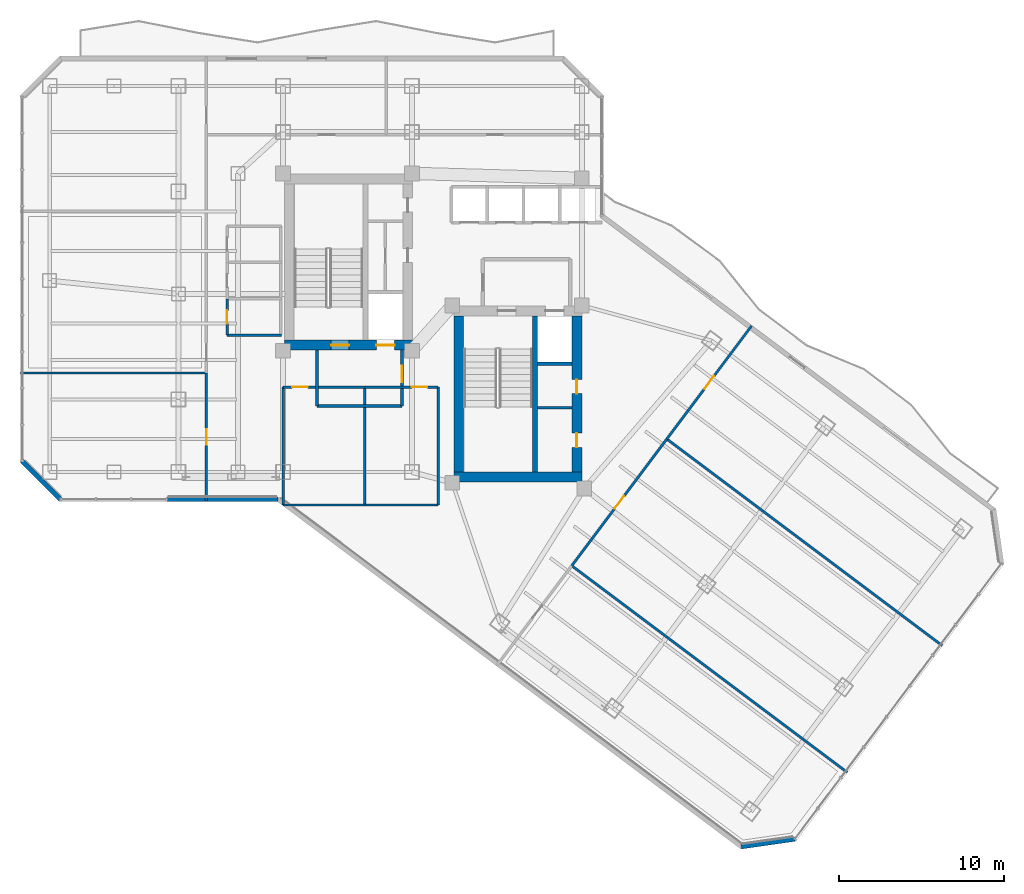
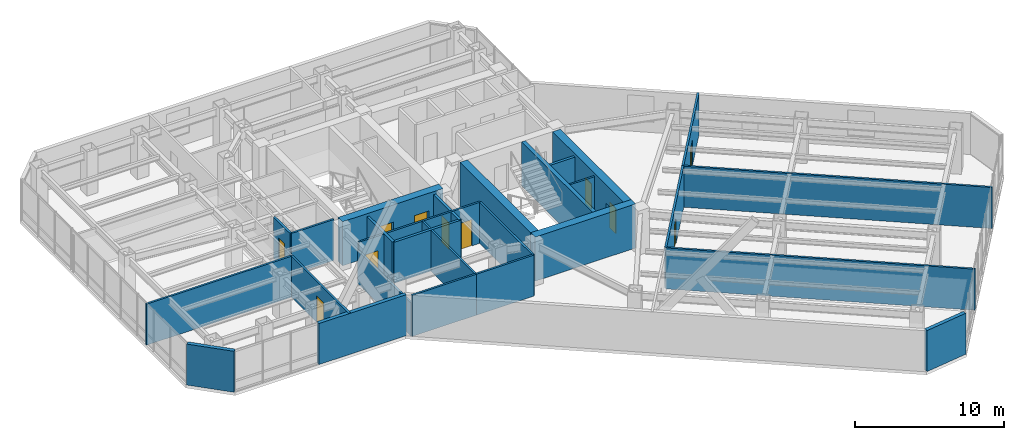
# One storey, part 22 of 29: 28 walls, 11 doors, 11 openings.
"""IFC4 building model written with IfcOpenShell, lengths in metres."""

from ifc_helpers import new_model, si_unit, direction, frame, frame_2d, origin, place, context, subcontext, project, spatial, rectangle, extrude, material, layer, layer_set, type_object, element, fill, save


model = new_model("IFC4")

# Units and contexts
model_context = context("Model", 3, precision=1e-05, world=origin(), true_north=direction((0.0, 1.0)))
body_context = subcontext(model_context, "Body", "Model", "MODEL_VIEW")
ifc_project = project(units=[si_unit("LENGTHUNIT", "METRE"), si_unit("AREAUNIT", "SQUARE_METRE"), si_unit("VOLUMEUNIT", "CUBIC_METRE"), si_unit("PLANEANGLEUNIT", "RADIAN"), si_unit("MASSUNIT", "GRAM", prefix="KILO")], contexts=[model_context])

# Site, building, storey
site_placement = place(None, origin())
site = spatial("IfcSite", under=ifc_project, at=site_placement, CompositionType="ELEMENT")
building_placement = place(site_placement, origin())
building = spatial("IfcBuilding", under=site, at=building_placement, Name="Hatsunagi Terrace Concourse", CompositionType="ELEMENT")
storey_placement = place(building_placement, frame((0.0, 0.0, 119.25)))
storey = spatial("IfcBuildingStorey", under=building, at=storey_placement, Name="L31", CompositionType="ELEMENT", Elevation=119.25)

# Wall, openings, doors
ifc_material_1 = material(Name="Concrete Fc48", Category="concrete")
ifc_layer_1 = layer(ifc_material_1, 0.60009765625)
ifc_layer_set_1 = layer_set([ifc_layer_1], Name="CoreShearWall_Fc48_600")
wall_type_1 = type_object("IfcWallType", Name="CoreShearWall_Fc48_600", PredefinedType="SHEAR", material=ifc_layer_set_1)
wall_1_placement = place(storey_placement, frame((25.6201171875, 32.889892578125, 0.0), z_axis=(0.0, 0.0, 1.0), x_axis=(1.0, 0.0, 0.0)))
wall_1 = element("IfcWall", 1, at=wall_1_placement, inside=storey, type_object=wall_type_1, Name="Core A Shear Wall S L31", PredefinedType="SHEAR", context=body_context, shape_type="SweptSolid", body=[
    extrude(rectangle(XDim=7.77978515625, YDim=0.60009765625, at=frame_2d((3.889892578125, 0.0))), origin(), (0.0, 0.0, 1.0), 3.60009765625),
])
opening_1_placement = place(wall_1_placement, frame((2.830078125, 0.0, 0.0)))
opening_1 = element("IfcOpeningElement", 2, at=opening_1_placement, cuts=wall_1, Name="Opening DR-110S", PredefinedType="OPENING", context=body_context, shape_type="SweptSolid", body=[
    extrude(rectangle(XDim=1.10009765625, YDim=2.199951171875, at=frame_2d((0.550048828125, 1.10009765625))), frame((0.0, 0.31005859375, 0.0), z_axis=(0.0, -1.0, 0.0), x_axis=(1.0, 0.0, 0.0)), (0.0, 0.0, 1.0), 0.6201171875),
])
opening_2_placement = place(wall_1_placement, frame((5.580078125, 0.0, 0.0)))
opening_2 = element("IfcOpeningElement", 3, at=opening_2_placement, cuts=wall_1, Name="Opening LD-01", PredefinedType="OPENING", context=body_context, shape_type="SweptSolid", body=[
    extrude(rectangle(XDim=1.10009765625, YDim=2.14990234375, at=frame_2d((0.550048828125, 1.074951171875))), frame((0.0, 0.31005859375, 0.0), z_axis=(0.0, -1.0, 0.0), x_axis=(1.0, 0.0, 0.0)), (0.0, 0.0, 1.0), 0.6201171875),
])
ifc_material_2 = material(Name="Stainless steel", Category="steel")
door_type_1 = type_object("IfcDoorType", Name="LiftLandingDoor_LD01", OperationType="SLIDING_TO_LEFT", PredefinedType="USERDEFINED", material=ifc_material_2)
door_1_placement = place(opening_2_placement, origin())
door_1 = element("IfcDoor", 4, at=door_1_placement, inside=storey, type_object=door_type_1, Name="Lift landing door FF-01 L31", ObjectType="SLIDING_LANDING_DOOR", OperationType="SLIDING_TO_LEFT", OverallHeight=2.14990234375, OverallWidth=1.10009765625, PredefinedType="USERDEFINED", context=body_context, shape_type="SweptSolid", body=[
    extrude(rectangle(XDim=1.10009765625, YDim=2.14990234375, at=frame_2d((0.550048828125, 1.074951171875))), frame((0.0, 0.02490234375, 0.0), z_axis=(0.0, -1.0, 0.0), x_axis=(1.0, 0.0, 0.0)), (0.0, 0.0, 1.0), 0.050048828125),
])
fill(opening_2, door_1)
ifc_material_3 = material(Name="Painted steel", Category="steel")
door_type_2 = type_object("IfcDoorType", Name="StairFireDoor_EI60_1100", OperationType="NOTDEFINED", PredefinedType="DOOR", material=ifc_material_3)
door_2_placement = place(opening_1_placement, origin())
door_2 = element("IfcDoor", 5, at=door_2_placement, inside=storey, type_object=door_type_2, Name="Stair ST-A Exit Door L31", OperationType="SINGLE_SWING_LEFT", OverallHeight=2.199951171875, OverallWidth=1.10009765625, PredefinedType="DOOR", context=body_context, shape_type="SweptSolid", body=[
    extrude(rectangle(XDim=1.10009765625, YDim=2.199951171875, at=frame_2d((0.550048828125, 1.10009765625))), frame((0.0, 0.02490234375, 0.0), z_axis=(0.0, -1.0, 0.0), x_axis=(1.0, 0.0, 0.0)), (0.0, 0.0, 1.0), 0.050048828125),
])
fill(opening_1, door_2)

# Walls
wall_2_placement = place(storey_placement, frame((35.889892578125, 24.889892578125, 0.0), z_axis=(0.0, 0.0, 1.0), x_axis=(1.0, 0.0, 0.0)))
element("IfcWall", 6, at=wall_2_placement, inside=storey, type_object=wall_type_1, Name="Core B Shear Wall S L31", PredefinedType="SHEAR", context=body_context, shape_type="SweptSolid", body=[
    extrude(rectangle(XDim=7.760009765625, YDim=0.60009765625, at=frame_2d((3.8798828125, 0.0))), origin(), (0.0, 0.0, 1.0), 3.60009765625),
])
wall_3_placement = place(storey_placement, frame((36.18994140625, 25.18994140625, 0.0), z_axis=(0.0, 0.0, 1.0), x_axis=(0.0, 1.0, 0.0)))
element("IfcWall", 7, at=wall_3_placement, inside=storey, type_object=wall_type_1, Name="Core B Shear Wall W L31", PredefinedType="SHEAR", context=body_context, shape_type="SweptSolid", body=[
    extrude(rectangle(XDim=9.47998046875, YDim=0.60009765625, at=frame_2d((4.739990234375, 0.0))), origin(), (0.0, 0.0, 1.0), 3.60009765625),
])

# Wall, openings, doors
wall_4_placement = place(storey_placement, frame((43.35009765625, 25.18994140625, 0.0), z_axis=(0.0, 0.0, 1.0), x_axis=(0.0, 1.0, 0.0)))
wall_4 = element("IfcWall", 8, at=wall_4_placement, inside=storey, type_object=wall_type_1, Name="Core B Shear Wall E L31", PredefinedType="SHEAR", context=body_context, shape_type="SweptSolid", body=[
    extrude(rectangle(XDim=9.47998046875, YDim=0.60009765625, at=frame_2d((4.739990234375, 0.0))), origin(), (0.0, 0.0, 1.0), 3.60009765625),
])
opening_3_placement = place(wall_4_placement, frame((1.510009765625, 0.0, 0.0)))
opening_3 = element("IfcOpeningElement", 9, at=opening_3_placement, cuts=wall_4, Name="Opening DR-085", PredefinedType="OPENING", context=body_context, shape_type="SweptSolid", body=[
    extrude(rectangle(XDim=0.85009765625, YDim=2.080078125, at=frame_2d((0.425048828125, 1.0400390625))), frame((0.0, 0.31005859375, 0.0), z_axis=(0.0, -1.0, 0.0), x_axis=(1.0, 0.0, 0.0)), (0.0, 0.0, 1.0), 0.6201171875),
])
opening_4_placement = place(wall_4_placement, frame((4.760009765625, 0.0, 0.0)))
opening_4 = element("IfcOpeningElement", 10, at=opening_4_placement, cuts=wall_4, Name="Opening DR-085", PredefinedType="OPENING", context=body_context, shape_type="SweptSolid", body=[
    extrude(rectangle(XDim=0.85009765625, YDim=2.080078125, at=frame_2d((0.425048828125, 1.0400390625))), frame((0.0, 0.31005859375, 0.0), z_axis=(0.0, -1.0, 0.0), x_axis=(1.0, 0.0, 0.0)), (0.0, 0.0, 1.0), 0.6201171875),
])
ifc_material_4 = material(Name="Painted steel", Category="steel")
door_type_3 = type_object("IfcDoorType", Name="RiserAccessDoor_EI60_850", OperationType="NOTDEFINED", PredefinedType="DOOR", material=ifc_material_4)
door_3_placement = place(opening_3_placement, origin())
door_3 = element("IfcDoor", 11, at=door_3_placement, inside=storey, type_object=door_type_3, Name="Core B Riser Door L31-1", OperationType="SINGLE_SWING_RIGHT", OverallHeight=2.080078125, OverallWidth=0.85009765625, PredefinedType="DOOR", context=body_context, shape_type="SweptSolid", body=[
    extrude(rectangle(XDim=0.85009765625, YDim=2.080078125, at=frame_2d((0.425048828125, 1.0400390625))), frame((0.0, 0.02490234375, 0.0), z_axis=(0.0, -1.0, 0.0), x_axis=(1.0, 0.0, 0.0)), (0.0, 0.0, 1.0), 0.050048828125),
])
fill(opening_3, door_3)
door_4_placement = place(opening_4_placement, origin())
door_4 = element("IfcDoor", 12, at=door_4_placement, inside=storey, type_object=door_type_3, Name="Core B Riser Door L31-2", OperationType="SINGLE_SWING_RIGHT", OverallHeight=2.080078125, OverallWidth=0.85009765625, PredefinedType="DOOR", context=body_context, shape_type="SweptSolid", body=[
    extrude(rectangle(XDim=0.85009765625, YDim=2.080078125, at=frame_2d((0.425048828125, 1.0400390625))), frame((0.0, 0.02490234375, 0.0), z_axis=(0.0, -1.0, 0.0), x_axis=(1.0, 0.0, 0.0)), (0.0, 0.0, 1.0), 0.050048828125),
])
fill(opening_4, door_4)

# Walls
ifc_material_5 = material(Name="Concrete Fc48", Category="concrete")
ifc_layer_2 = layer(ifc_material_5, 0.300048828125)
ifc_layer_set_2 = layer_set([ifc_layer_2], Name="CoreStairDivider_Fc48_300")
wall_type_2 = type_object("IfcWallType", Name="CoreStairDivider_Fc48_300", PredefinedType="SHEAR", material=ifc_layer_set_2)
wall_5_placement = place(storey_placement, frame((40.81005859375, 25.18994140625, 0.0), z_axis=(0.0, 0.0, 1.0), x_axis=(0.0, 1.0, 0.0)))
element("IfcWall", 13, at=wall_5_placement, inside=storey, type_object=wall_type_2, Name="Core B Shear Wall D L31", PredefinedType="SHEAR", context=body_context, shape_type="SweptSolid", body=[
    extrude(rectangle(XDim=9.47998046875, YDim=0.300048828125, at=frame_2d((4.739990234375, 0.0))), origin(), (0.0, 0.0, 1.0), 3.60009765625),
])
ifc_material_6 = material(Name="Acoustic mineral board", Category="gypsum")
ifc_layer_3 = layer(ifc_material_6, 0.14990234375)
ifc_layer_set_3 = layer_set([ifc_layer_3], Name="PartitionWall_EI60_150")
wall_type_3 = type_object("IfcWallType", Name="PartitionWall_EI60_150", PredefinedType="PARTITIONING", material=ifc_layer_set_3)
wall_6_placement = place(storey_placement, frame((40.969970703125, 29.10009765625, 0.0), z_axis=(0.0, 0.0, 1.0), x_axis=(1.0, 0.0, 0.0)))
element("IfcWall", 14, at=wall_6_placement, inside=storey, type_object=wall_type_3, Name="Interior Partition IW-L31-005", PredefinedType="PARTITIONING", context=body_context, shape_type="SweptSolid", body=[
    extrude(rectangle(XDim=2.080078125, YDim=0.14990234375, at=frame_2d((1.0400390625, 0.0))), origin(), (0.0, 0.0, 1.0), 3.35009765625),
])
wall_7_placement = place(storey_placement, frame((22.14990234375, 33.5, 0.0), z_axis=(0.0, 0.0, 1.0), x_axis=(1.0, 0.0, 0.0)))
element("IfcWall", 15, at=wall_7_placement, inside=storey, type_object=wall_type_3, Name="Interior Partition IW-L31-018", PredefinedType="PARTITIONING", context=body_context, shape_type="SweptSolid", body=[
    extrude(rectangle(XDim=3.300048828125, YDim=0.14990234375, at=frame_2d((1.64990234375, 0.0))), origin(), (0.0, 0.0, 1.0), 3.35009765625),
])

# Wall, opening, door
wall_8_placement = place(storey_placement, frame((22.14990234375, 33.5, 0.0), z_axis=(0.0, 0.0, 1.0), x_axis=(0.0, 1.0, 0.0)))
wall_8 = element("IfcWall", 16, at=wall_8_placement, inside=storey, type_object=wall_type_3, Name="Interior Partition IW-L31-023", PredefinedType="PARTITIONING", context=body_context, shape_type="SweptSolid", body=[
    extrude(rectangle(XDim=2.199951171875, YDim=0.14990234375, at=frame_2d((1.10009765625, 0.0))), origin(), (0.0, 0.0, 1.0), 3.35009765625),
])
opening_5_placement = place(wall_8_placement, frame((0.699951171875, 0.0, 0.0)))
opening_5 = element("IfcOpeningElement", 17, at=opening_5_placement, cuts=wall_8, Name="Opening DR-080", PredefinedType="OPENING", context=body_context, shape_type="SweptSolid", body=[
    extrude(rectangle(XDim=0.800048828125, YDim=2.06005859375, at=frame_2d((0.39990234375, 1.030029296875))), frame((0.0, 0.0849609375, 0.0), z_axis=(0.0, -1.0, 0.0), x_axis=(1.0, 0.0, 0.0)), (0.0, 0.0, 1.0), 0.169921875),
])
ifc_material_7 = material(Name="Hardwood timber", Category="wood")
door_type_4 = type_object("IfcDoorType", Name="BathroomDoor_800", OperationType="NOTDEFINED", PredefinedType="DOOR", material=ifc_material_7)
door_5_placement = place(opening_5_placement, origin())
door_5 = element("IfcDoor", 18, at=door_5_placement, inside=storey, type_object=door_type_4, Name="Accessible WC Door L31", OperationType="SINGLE_SWING_RIGHT", OverallHeight=2.06005859375, OverallWidth=0.800048828125, PredefinedType="DOOR", context=body_context, shape_type="SweptSolid", body=[
    extrude(rectangle(XDim=0.800048828125, YDim=2.06005859375, at=frame_2d((0.39990234375, 1.030029296875))), frame((0.0, 0.02490234375, 0.0), z_axis=(0.0, -1.0, 0.0), x_axis=(1.0, 0.0, 0.0)), (0.0, 0.0, 1.0), 0.050048828125),
])
fill(opening_5, door_5)

# Wall
wall_9_placement = place(storey_placement, frame((25.550048828125, 23.199951171875, 0.0), z_axis=(0.0, 0.0, 1.0), x_axis=(1.0, 0.0, 0.0)))
element("IfcWall", 19, at=wall_9_placement, inside=storey, type_object=wall_type_3, Name="Interior Partition IW-L31-026", PredefinedType="PARTITIONING", context=body_context, shape_type="SweptSolid", body=[
    extrude(rectangle(XDim=4.949951171875, YDim=0.14990234375, at=frame_2d((2.47509765625, 0.0))), origin(), (0.0, 0.0, 1.0), 3.35009765625),
])

# Wall, opening, door
wall_10_placement = place(storey_placement, frame((25.550048828125, 30.35009765625, 0.0), z_axis=(0.0, 0.0, 1.0), x_axis=(1.0, 0.0, 0.0)))
wall_10 = element("IfcWall", 20, at=wall_10_placement, inside=storey, type_object=wall_type_3, Name="Interior Partition IW-L31-027", PredefinedType="PARTITIONING", context=body_context, shape_type="SweptSolid", body=[
    extrude(rectangle(XDim=4.949951171875, YDim=0.14990234375, at=frame_2d((2.47509765625, 0.0))), origin(), (0.0, 0.0, 1.0), 3.35009765625),
])
opening_6_placement = place(wall_10_placement, frame((0.5419921875, 0.0, 0.0)))
opening_6 = element("IfcOpeningElement", 21, at=opening_6_placement, cuts=wall_10, Name="Opening DR-095", PredefinedType="OPENING", context=body_context, shape_type="SweptSolid", body=[
    extrude(rectangle(XDim=0.949951171875, YDim=2.14990234375, at=frame_2d((0.47509765625, 1.074951171875))), frame((0.0, 0.0849609375, 0.0), z_axis=(0.0, -1.0, 0.0), x_axis=(1.0, 0.0, 0.0)), (0.0, 0.0, 1.0), 0.169921875),
])
ifc_material_8 = material(Name="Hardwood timber", Category="wood")
door_type_5 = type_object("IfcDoorType", Name="InteriorSuiteDoor_EI30_950", OperationType="NOTDEFINED", PredefinedType="DOOR", material=ifc_material_8)
door_6_placement = place(opening_6_placement, origin())
door_6 = element("IfcDoor", 22, at=door_6_placement, inside=storey, type_object=door_type_5, Name="Executive Office L31-RECL1 Door", OperationType="SINGLE_SWING_RIGHT", OverallHeight=2.14990234375, OverallWidth=0.949951171875, PredefinedType="DOOR", context=body_context, shape_type="SweptSolid", body=[
    extrude(rectangle(XDim=0.949951171875, YDim=2.14990234375, at=frame_2d((0.47509765625, 1.074951171875))), frame((0.0, 0.02490234375, 0.0), z_axis=(0.0, -1.0, 0.0), x_axis=(1.0, 0.0, 0.0)), (0.0, 0.0, 1.0), 0.050048828125),
])
fill(opening_6, door_6)

# Walls
wall_11_placement = place(storey_placement, frame((25.550048828125, 23.199951171875, 0.0), z_axis=(0.0, 0.0, 1.0), x_axis=(0.0, 1.0, 0.0)))
element("IfcWall", 23, at=wall_11_placement, inside=storey, type_object=wall_type_3, Name="Interior Partition IW-L31-028", PredefinedType="PARTITIONING", context=body_context, shape_type="SweptSolid", body=[
    extrude(rectangle(XDim=7.150146484375, YDim=0.14990234375, at=frame_2d((3.5751953125, 0.0))), origin(), (0.0, 0.0, 1.0), 2.695068359375),
])
wall_12_placement = place(storey_placement, frame((30.5, 23.199951171875, 0.0), z_axis=(0.0, 0.0, 1.0), x_axis=(0.0, 1.0, 0.0)))
element("IfcWall", 24, at=wall_12_placement, inside=storey, type_object=wall_type_3, Name="Interior Partition IW-L31-029", PredefinedType="PARTITIONING", context=body_context, shape_type="SweptSolid", body=[
    extrude(rectangle(XDim=7.150146484375, YDim=0.14990234375, at=frame_2d((3.5751953125, 0.0))), origin(), (0.0, 0.0, 1.0), 3.35009765625),
])
wall_13_placement = place(storey_placement, frame((30.5, 23.199951171875, 0.0), z_axis=(0.0, 0.0, 1.0), x_axis=(1.0, 0.0, 0.0)))
element("IfcWall", 25, at=wall_13_placement, inside=storey, type_object=wall_type_3, Name="Interior Partition IW-L31-030", PredefinedType="PARTITIONING", context=body_context, shape_type="SweptSolid", body=[
    extrude(rectangle(XDim=4.449951171875, YDim=0.14990234375, at=frame_2d((2.22509765625, 0.0))), origin(), (0.0, 0.0, 1.0), 3.35009765625),
])

# Wall, opening, door
wall_14_placement = place(storey_placement, frame((30.5, 30.35009765625, 0.0), z_axis=(0.0, 0.0, 1.0), x_axis=(1.0, 0.0, 0.0)))
wall_14 = element("IfcWall", 26, at=wall_14_placement, inside=storey, type_object=wall_type_3, Name="Interior Partition IW-L31-031", PredefinedType="PARTITIONING", context=body_context, shape_type="SweptSolid", body=[
    extrude(rectangle(XDim=4.449951171875, YDim=0.14990234375, at=frame_2d((2.22509765625, 0.0))), origin(), (0.0, 0.0, 1.0), 3.35009765625),
])
opening_7_placement = place(wall_14_placement, frame((2.845947265625, 0.0, 0.0)))
opening_7 = element("IfcOpeningElement", 27, at=opening_7_placement, cuts=wall_14, Name="Opening DR-095", PredefinedType="OPENING", context=body_context, shape_type="SweptSolid", body=[
    extrude(rectangle(XDim=0.949951171875, YDim=2.14990234375, at=frame_2d((0.47509765625, 1.074951171875))), frame((0.0, 0.0849609375, 0.0), z_axis=(0.0, -1.0, 0.0), x_axis=(1.0, 0.0, 0.0)), (0.0, 0.0, 1.0), 0.169921875),
])
door_7_placement = place(opening_7_placement, origin())
door_7 = element("IfcDoor", 28, at=door_7_placement, inside=storey, type_object=door_type_5, Name="Client Consultation Room L31-RECL2 Door", OperationType="SINGLE_SWING_RIGHT", OverallHeight=2.14990234375, OverallWidth=0.949951171875, PredefinedType="DOOR", context=body_context, shape_type="SweptSolid", body=[
    extrude(rectangle(XDim=0.949951171875, YDim=2.14990234375, at=frame_2d((0.47509765625, 1.074951171875))), frame((0.0, 0.02490234375, 0.0), z_axis=(0.0, -1.0, 0.0), x_axis=(1.0, 0.0, 0.0)), (0.0, 0.0, 1.0), 0.050048828125),
])
fill(opening_7, door_7)

# Walls
wall_15_placement = place(storey_placement, frame((34.949951171875, 23.199951171875, 0.0), z_axis=(0.0, 0.0, 1.0), x_axis=(0.0, 1.0, 0.0)))
element("IfcWall", 29, at=wall_15_placement, inside=storey, type_object=wall_type_3, Name="Interior Partition IW-L31-032", PredefinedType="PARTITIONING", context=body_context, shape_type="SweptSolid", body=[
    extrude(rectangle(XDim=7.150146484375, YDim=0.14990234375, at=frame_2d((3.5751953125, 0.0))), origin(), (0.0, 0.0, 1.0), 3.35009765625),
])
wall_16_placement = place(storey_placement, frame((9.639892578125, 31.199951171875, 0.0), z_axis=(0.0, 0.0, 1.0), x_axis=(1.0, 0.0, 0.0)))
element("IfcWall", 30, at=wall_16_placement, inside=storey, type_object=wall_type_3, Name="Interior Partition IW-L31-033", PredefinedType="PARTITIONING", context=body_context, shape_type="SweptSolid", body=[
    extrude(rectangle(XDim=11.260009765625, YDim=0.14990234375, at=frame_2d((5.6298828125, 0.0))), origin(), (0.0, 0.0, 1.0), 3.35009765625),
])

# Wall, opening, door
wall_17_placement = place(storey_placement, frame((20.89990234375, 23.43994140625, 0.0), z_axis=(0.0, 0.0, 1.0), x_axis=(0.0, 1.0, 0.0)))
wall_17 = element("IfcWall", 31, at=wall_17_placement, inside=storey, type_object=wall_type_3, Name="Interior Partition IW-L31-034", PredefinedType="PARTITIONING", context=body_context, shape_type="SweptSolid", body=[
    extrude(rectangle(XDim=7.760009765625, YDim=0.14990234375, at=frame_2d((3.8798828125, 0.0))), origin(), (0.0, 0.0, 1.0), 3.35009765625),
])
opening_8_placement = place(wall_17_placement, frame((3.405029296875, 0.0, 0.0)))
opening_8 = element("IfcOpeningElement", 32, at=opening_8_placement, cuts=wall_17, Name="Opening DR-095", PredefinedType="OPENING", context=body_context, shape_type="SweptSolid", body=[
    extrude(rectangle(XDim=0.949951171875, YDim=2.14990234375, at=frame_2d((0.47509765625, 1.074951171875))), frame((0.0, 0.0849609375, 0.0), z_axis=(0.0, -1.0, 0.0), x_axis=(1.0, 0.0, 0.0)), (0.0, 0.0, 1.0), 0.169921875),
])
door_8_placement = place(opening_8_placement, origin())
door_8 = element("IfcDoor", 33, at=door_8_placement, inside=storey, type_object=door_type_5, Name="Boardroom L31-OW1 Door", OperationType="SINGLE_SWING_RIGHT", OverallHeight=2.14990234375, OverallWidth=0.949951171875, PredefinedType="DOOR", context=body_context, shape_type="SweptSolid", body=[
    extrude(rectangle(XDim=0.949951171875, YDim=2.14990234375, at=frame_2d((0.47509765625, 1.074951171875))), frame((0.0, 0.02490234375, 0.0), z_axis=(0.0, -1.0, 0.0), x_axis=(1.0, 0.0, 0.0)), (0.0, 0.0, 1.0), 0.050048828125),
])
fill(opening_8, door_8)

# Walls
wall_18_placement = place(storey_placement, frame((43.0400390625, 19.52001953125, 0.0), z_axis=(0.0, 0.0, 1.0), x_axis=(0.799997191095, -0.600003745189, 0.0)))
element("IfcWall", 34, at=wall_18_placement, inside=storey, type_object=wall_type_3, Name="Interior Partition IW-L31-041", PredefinedType="PARTITIONING", context=body_context, shape_type="SweptSolid", body=[
    extrude(rectangle(XDim=20.860107421875, YDim=0.14990234375, at=frame_2d((10.43017578125, 0.0))), origin(), (0.0, 0.0, 1.0), 3.35009765625),
])
wall_19_placement = place(storey_placement, frame((48.800048828125, 27.199951171875, 0.0), z_axis=(0.0, 0.0, 1.0), x_axis=(0.800002808908, -0.599996254772, 0.0)))
element("IfcWall", 35, at=wall_19_placement, inside=storey, type_object=wall_type_3, Name="Interior Partition IW-L31-043", PredefinedType="PARTITIONING", context=body_context, shape_type="SweptSolid", body=[
    extrude(rectangle(XDim=20.85986328125, YDim=0.14990234375, at=frame_2d((10.429931640625, 0.0))), origin(), (0.0, 0.0, 1.0), 3.35009765625),
])

# Wall, opening, door
wall_20_placement = place(storey_placement, frame((43.0400390625, 19.52001953125, 0.0), z_axis=(0.0, 0.0, 1.0), x_axis=(0.600004069023, 0.799996948216, 0.0)))
wall_20 = element("IfcWall", 36, at=wall_20_placement, inside=storey, type_object=wall_type_3, Name="Interior Partition IW-L31-044", PredefinedType="PARTITIONING", context=body_context, shape_type="SweptSolid", body=[
    extrude(rectangle(XDim=9.599853515625, YDim=0.14990234375, at=frame_2d((4.7998046875, 0.0))), origin(), (0.0, 0.0, 1.0), 3.35009765625),
])
opening_9_placement = place(wall_20_placement, frame((4.324951171875, 0.0, 0.0)))
opening_9 = element("IfcOpeningElement", 37, at=opening_9_placement, cuts=wall_20, Name="Opening DR-095", PredefinedType="OPENING", context=body_context, shape_type="SweptSolid", body=[
    extrude(rectangle(XDim=0.949951171875, YDim=2.14990234375, at=frame_2d((0.47509765625, 1.074951171875))), frame((0.0, 0.0849609375, 0.0), z_axis=(0.0, -1.0, 0.0), x_axis=(1.0, 0.0, 0.0)), (0.0, 0.0, 1.0), 0.169921875),
])
door_9_placement = place(opening_9_placement, origin())
door_9 = element("IfcDoor", 38, at=door_9_placement, inside=storey, type_object=door_type_5, Name="Team Innovation Studio L31-OSE2 Door", OperationType="SINGLE_SWING_RIGHT", OverallHeight=2.14990234375, OverallWidth=0.949951171875, PredefinedType="DOOR", context=body_context, shape_type="SweptSolid", body=[
    extrude(rectangle(XDim=0.949951171875, YDim=2.14990234375, at=frame_2d((0.47509765625, 1.074951171875))), frame((0.0, 0.02490234375, 0.0), z_axis=(0.0, -1.0, 0.0), x_axis=(1.0, 0.0, 0.0)), (0.0, 0.0, 1.0), 0.050048828125),
])
fill(opening_9, door_9)

wall_21_placement = place(storey_placement, frame((48.800048828125, 27.199951171875, 0.0), z_axis=(0.0, 0.0, 1.0), x_axis=(0.599990873323, 0.800006844926, 0.0)))
wall_21 = element("IfcWall", 39, at=wall_21_placement, inside=storey, type_object=wall_type_3, Name="Interior Partition IW-L31-045", PredefinedType="PARTITIONING", context=body_context, shape_type="SweptSolid", body=[
    extrude(rectangle(XDim=8.56005859375, YDim=0.14990234375, at=frame_2d((4.280029296875, 0.0))), origin(), (0.0, 0.0, 1.0), 3.35009765625),
])
opening_10_placement = place(wall_21_placement, frame((3.804931640625, 0.0, 0.0)))
opening_10 = element("IfcOpeningElement", 40, at=opening_10_placement, cuts=wall_21, Name="Opening DR-095", PredefinedType="OPENING", context=body_context, shape_type="SweptSolid", body=[
    extrude(rectangle(XDim=0.949951171875, YDim=2.14990234375, at=frame_2d((0.47509765625, 1.074951171875))), frame((0.0, 0.0849609375, 0.0), z_axis=(0.0, -1.0, 0.0), x_axis=(1.0, 0.0, 0.0)), (0.0, 0.0, 1.0), 0.169921875),
])
door_10_placement = place(opening_10_placement, origin())
door_10 = element("IfcDoor", 41, at=door_10_placement, inside=storey, type_object=door_type_5, Name="Research Focus Suite L31-OSE3 Door", OperationType="SINGLE_SWING_RIGHT", OverallHeight=2.14990234375, OverallWidth=0.949951171875, PredefinedType="DOOR", context=body_context, shape_type="SweptSolid", body=[
    extrude(rectangle(XDim=0.949951171875, YDim=2.14990234375, at=frame_2d((0.47509765625, 1.074951171875))), frame((0.0, 0.02490234375, 0.0), z_axis=(0.0, -1.0, 0.0), x_axis=(1.0, 0.0, 0.0)), (0.0, 0.0, 1.0), 0.050048828125),
])
fill(opening_10, door_10)

# Walls
ifc_material_9 = material(Name="Acoustic mineral board", Category="gypsum")
ifc_layer_4 = layer(ifc_material_9, 0.199951171875)
ifc_layer_set_4 = layer_set([ifc_layer_4], Name="ShaftWall_EI120_200")
wall_type_4 = type_object("IfcWallType", Name="ShaftWall_EI120_200", PredefinedType="STANDARD", material=ifc_layer_set_4)
wall_22_placement = place(storey_placement, frame((40.969970703125, 31.760009765625, 0.0), z_axis=(0.0, 0.0, 1.0), x_axis=(1.0, 0.0, 0.0)))
element("IfcWall", 42, at=wall_22_placement, inside=storey, type_object=wall_type_4, Name="Interior Partition IW-L31-004", PredefinedType="STANDARD", context=body_context, shape_type="SweptSolid", body=[
    extrude(rectangle(XDim=2.080078125, YDim=0.199951171875, at=frame_2d((1.0400390625, 0.0))), origin(), (0.0, 0.0, 1.0), 3.35009765625),
])
wall_23_placement = place(storey_placement, frame((27.60009765625, 29.199951171875, 0.0), z_axis=(0.0, 0.0, 1.0), x_axis=(1.0, 0.0, 0.0)))
element("IfcWall", 43, at=wall_23_placement, inside=storey, type_object=wall_type_4, Name="Interior Partition IW-L31-006", PredefinedType="STANDARD", context=body_context, shape_type="SweptSolid", body=[
    extrude(rectangle(XDim=5.14990234375, YDim=0.199951171875, at=frame_2d((2.574951171875, 0.0))), origin(), (0.0, 0.0, 1.0), 3.35009765625),
])
wall_24_placement = place(storey_placement, frame((27.60009765625, 29.199951171875, 0.0), z_axis=(0.0, 0.0, 1.0), x_axis=(0.0, 1.0, 0.0)))
element("IfcWall", 44, at=wall_24_placement, inside=storey, type_object=wall_type_4, Name="Interior Partition IW-L31-007", PredefinedType="STANDARD", context=body_context, shape_type="SweptSolid", body=[
    extrude(rectangle(XDim=3.39013671875, YDim=0.199951171875, at=frame_2d((1.695068359375, 0.0))), origin(), (0.0, 0.0, 1.0), 3.35009765625),
])

# Wall, opening, door
wall_25_placement = place(storey_placement, frame((32.75, 29.199951171875, 0.0), z_axis=(0.0, 0.0, 1.0), x_axis=(0.0, 1.0, 0.0)))
wall_25 = element("IfcWall", 45, at=wall_25_placement, inside=storey, type_object=wall_type_4, Name="Interior Partition IW-L31-008", PredefinedType="STANDARD", context=body_context, shape_type="SweptSolid", body=[
    extrude(rectangle(XDim=3.39013671875, YDim=0.199951171875, at=frame_2d((1.695068359375, 0.0))), origin(), (0.0, 0.0, 1.0), 3.35009765625),
])
opening_11_placement = place(wall_25_placement, frame((1.449951171875, 0.0, 0.0)))
opening_11 = element("IfcOpeningElement", 46, at=opening_11_placement, cuts=wall_25, Name="Opening DR-100F", PredefinedType="OPENING", context=body_context, shape_type="SweptSolid", body=[
    extrude(rectangle(XDim=1.0, YDim=2.199951171875, at=frame_2d((0.5, 1.10009765625))), frame((0.0, 0.10986328125, 0.0), z_axis=(0.0, -1.0, 0.0), x_axis=(1.0, 0.0, 0.0)), (0.0, 0.0, 1.0), 0.219970703125),
])
ifc_material_10 = material(Name="Painted steel", Category="steel")
door_type_6 = type_object("IfcDoorType", Name="FireDoor_EI60_1000", OperationType="NOTDEFINED", PredefinedType="DOOR", material=ifc_material_10)
door_11_placement = place(opening_11_placement, origin())
door_11 = element("IfcDoor", 47, at=door_11_placement, inside=storey, type_object=door_type_6, Name="Firefighting Lobby A Door L31", OperationType="SINGLE_SWING_RIGHT", OverallHeight=2.199951171875, OverallWidth=1.0, PredefinedType="DOOR", context=body_context, shape_type="SweptSolid", body=[
    extrude(rectangle(XDim=1.0, YDim=2.199951171875, at=frame_2d((0.5, 1.10009765625))), frame((0.0, 0.02490234375, 0.0), z_axis=(0.0, -1.0, 0.0), x_axis=(1.0, 0.0, 0.0)), (0.0, 0.0, 1.0), 0.050048828125),
])
fill(opening_11, door_11)

# Walls
ifc_material_11 = material(Name="Autoclaved Lightweight Concrete and Terracotta Cladding", Category="masonry")
ifc_layer_5 = layer(ifc_material_11, 0.280029296875)
ifc_layer_set_5 = layer_set([ifc_layer_5], Name="TerracottaSpandrelWall_280")
wall_type_5 = type_object("IfcWallType", Name="TerracottaSpandrelWall_280", PredefinedType="STANDARD", material=ifc_layer_set_5)
wall_26_placement = place(storey_placement, frame((56.56298828125, 2.949951171875, 0.0), z_axis=(0.0, 0.0, 1.0), x_axis=(-0.989977778067, -0.141223223777, 0.0)))
element("IfcWall", 48, at=wall_26_placement, inside=storey, type_object=wall_type_5, Name="Exterior Spandrel Wall EW-L31-04", PredefinedType="STANDARD", context=body_context, shape_type="SweptSolid", body=[
    extrude(rectangle(XDim=3.27783203125, YDim=0.280029296875, at=frame_2d((1.638916015625, 0.0))), origin(), (0.0, 0.0, 1.0), 3.35009765625),
])
wall_27_placement = place(storey_placement, frame((25.2470703125, 23.5400390625, 0.0), z_axis=(0.0, 0.0, 1.0), x_axis=(-1.0, 0.0, 0.0)))
element("IfcWall", 49, at=wall_27_placement, inside=storey, type_object=wall_type_5, Name="Exterior Spandrel Wall EW-L31-06", PredefinedType="STANDARD", context=body_context, shape_type="SweptSolid", body=[
    extrude(rectangle(XDim=6.7470703125, YDim=0.280029296875, at=frame_2d((3.37353515625, 0.0))), origin(), (0.0, 0.0, 1.0), 3.35009765625),
])
wall_28_placement = place(storey_placement, frame((12.05810546875, 23.5400390625, 0.0), z_axis=(0.0, 0.0, 1.0), x_axis=(-0.707144017911, 0.707069542501, 0.0)))
element("IfcWall", 50, at=wall_28_placement, inside=storey, type_object=wall_type_5, Name="Exterior Spandrel Wall EW-L31-08", PredefinedType="STANDARD", context=body_context, shape_type="SweptSolid", body=[
    extrude(rectangle(XDim=3.278076171875, YDim=0.280029296875, at=frame_2d((1.63916015625, 0.0))), origin(), (0.0, 0.0, 1.0), 3.35009765625),
])

save(model, "model.ifc")
